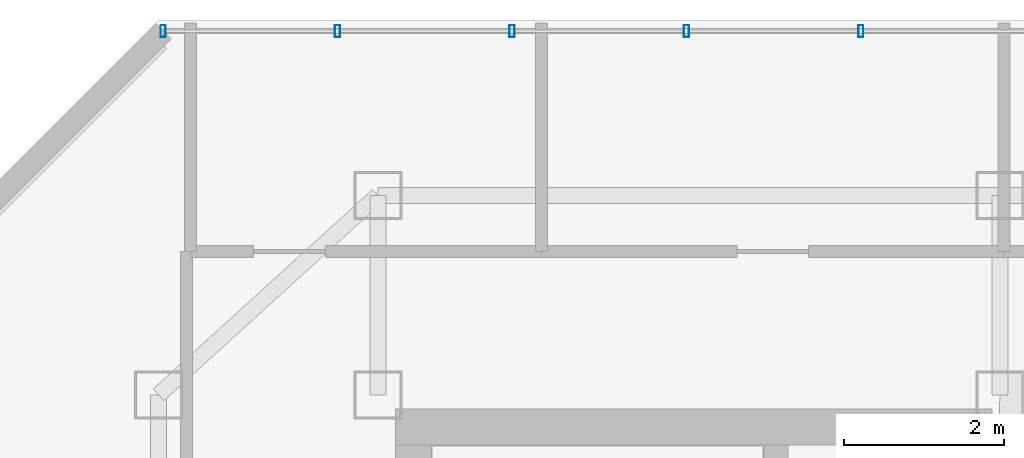
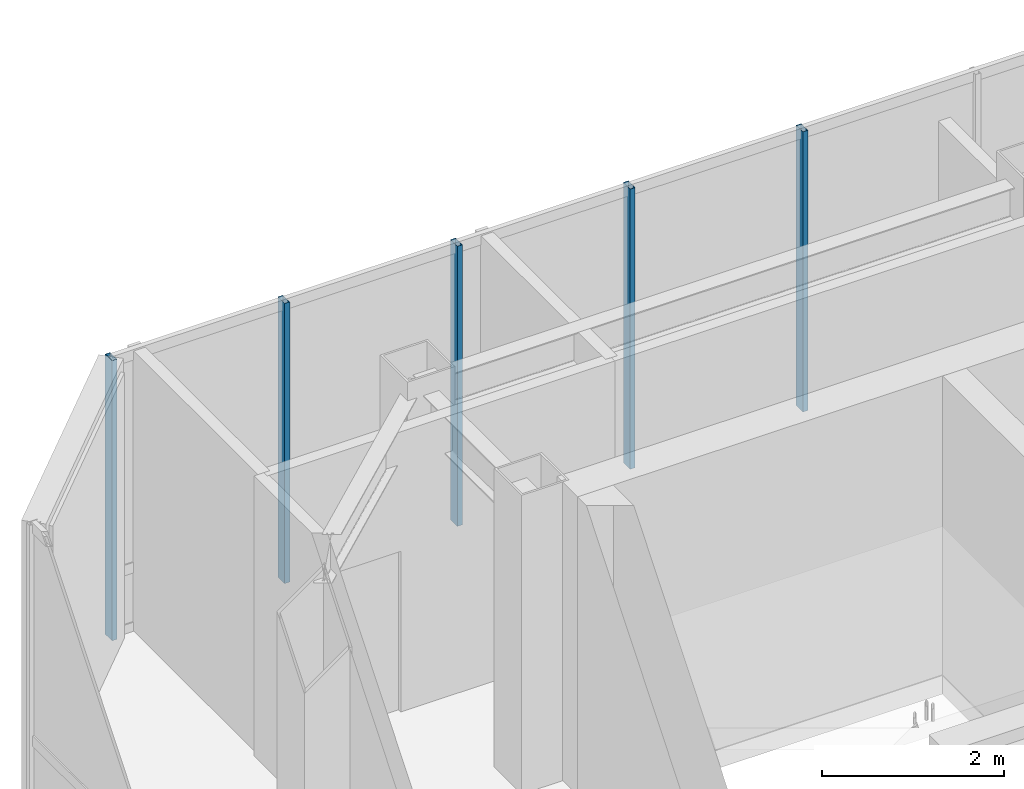
# One storey, part 21 of 30: 5 members, 1 element without a shape of its own.
"""IFC4 building model written with IfcOpenShell, lengths in metres."""

from ifc_helpers import new_model, si_unit, direction, frame, origin, origin_2d, place, context, subcontext, project, spatial, hollow_rectangle, extrude, material, layer, layer_set, material_profile, profile_set, type_object, element, aggregate, save


model = new_model("IFC4")

# Units and contexts
model_context = context("Model", 3, precision=1e-05, world=origin(), true_north=direction((0.0, 1.0)))
body_context = subcontext(model_context, "Body", "Model", "MODEL_VIEW")
ifc_project = project(units=[si_unit("LENGTHUNIT", "METRE"), si_unit("AREAUNIT", "SQUARE_METRE"), si_unit("VOLUMEUNIT", "CUBIC_METRE"), si_unit("PLANEANGLEUNIT", "RADIAN"), si_unit("MASSUNIT", "GRAM", prefix="KILO")], contexts=[model_context])

# Site, building, storey
site_placement = place(None, origin())
site = spatial("IfcSite", under=ifc_project, at=site_placement, CompositionType="ELEMENT")
building_placement = place(site_placement, origin())
building = spatial("IfcBuilding", under=site, at=building_placement, Name="Hatsunagi Terrace Concourse", CompositionType="ELEMENT")
storey_placement = place(building_placement, frame((0.0, 0.0, 273.949951171875)))
storey = spatial("IfcBuildingStorey", under=building, at=storey_placement, Name="L72", CompositionType="ELEMENT", Elevation=273.949951171875)

# Curtain wall, members
ifc_material_1 = material(Name="Anodised Aluminium Alloy 6063-T5", Category="aluminium")
ifc_layer = layer(ifc_material_1, 0.199951171875)
ifc_layer_set = layer_set([ifc_layer], Name="CrownWintergarden_CW06")
curtain_wall_type = type_object("IfcCurtainWallType", Name="CrownWintergarden_CW06", PredefinedType="NOTDEFINED", material=ifc_layer_set)
curtain_wall_placement = place(storey_placement, origin())
curtain_wall = element("IfcCurtainWall", 1, at=curtain_wall_placement, inside=storey, type_object=curtain_wall_type, Name="Unitised Curtain Wall CW-06 CW-L72-09", PredefinedType="NOTDEFINED")
ifc_material_2 = material(Name="Anodised Aluminium Alloy 6063-T5", Category="aluminium")
ifc_material_profile = material_profile(ifc_material_2, hollow_rectangle(XDim=0.06494140625, YDim=0.14990234375, WallThickness=0.00390625, at=origin_2d()), Name="ALU-MUL-150x65x4")
ifc_profile_set = profile_set([ifc_material_profile], Name="Anodised Aluminium Alloy 6063-T5")
member_type = type_object("IfcMemberType", Name="CurtainWallMullion_Crown_150x65", PredefinedType="MULLION", material=ifc_profile_set)
member_1_placement = place(storey_placement, frame((22.85791015625, 47.860107421875, 0.0), z_axis=(0.0, 0.0, 1.0), x_axis=(1.0, 0.0, 0.0)))
member_1 = element("IfcMember", 2, at=member_1_placement, type_object=member_type, Name="Curtain Wall Mullion MUL-03", PredefinedType="MULLION", context=body_context, shape_type="SweptSolid", body=[
    extrude(hollow_rectangle(XDim=0.06494140625, YDim=0.14990234375, WallThickness=0.00390625, at=origin_2d()), origin(), (0.0, 0.0, 1.0), 3.75),
])
member_2_placement = place(storey_placement, frame((25.044921875, 47.860107421875, 0.0), z_axis=(0.0, 0.0, 1.0), x_axis=(1.0, 0.0, 0.0)))
member_2 = element("IfcMember", 3, at=member_2_placement, type_object=member_type, Name="Curtain Wall Mullion MUL-03", PredefinedType="MULLION", context=body_context, shape_type="SweptSolid", body=[
    extrude(hollow_rectangle(XDim=0.06494140625, YDim=0.14990234375, WallThickness=0.00390625, at=origin_2d()), origin(), (0.0, 0.0, 1.0), 3.75),
])
member_3_placement = place(storey_placement, frame((27.23193359375, 47.860107421875, 0.0), z_axis=(0.0, 0.0, 1.0), x_axis=(1.0, 0.0, 0.0)))
member_3 = element("IfcMember", 4, at=member_3_placement, type_object=member_type, Name="Curtain Wall Mullion MUL-03", PredefinedType="MULLION", context=body_context, shape_type="SweptSolid", body=[
    extrude(hollow_rectangle(XDim=0.06494140625, YDim=0.14990234375, WallThickness=0.00390625, at=origin_2d()), origin(), (0.0, 0.0, 1.0), 3.75),
])
member_4_placement = place(storey_placement, frame((29.4189453125, 47.860107421875, 0.0), z_axis=(0.0, 0.0, 1.0), x_axis=(1.0, 0.0, 0.0)))
member_4 = element("IfcMember", 5, at=member_4_placement, type_object=member_type, Name="Curtain Wall Mullion MUL-03", PredefinedType="MULLION", context=body_context, shape_type="SweptSolid", body=[
    extrude(hollow_rectangle(XDim=0.06494140625, YDim=0.14990234375, WallThickness=0.00390625, at=origin_2d()), origin(), (0.0, 0.0, 1.0), 3.75),
])
member_5_placement = place(storey_placement, frame((31.60595703125, 47.860107421875, 0.0), z_axis=(0.0, 0.0, 1.0), x_axis=(1.0, 0.0, 0.0)))
member_5 = element("IfcMember", 6, at=member_5_placement, type_object=member_type, Name="Curtain Wall Mullion MUL-03", PredefinedType="MULLION", context=body_context, shape_type="SweptSolid", body=[
    extrude(hollow_rectangle(XDim=0.06494140625, YDim=0.14990234375, WallThickness=0.00390625, at=origin_2d()), origin(), (0.0, 0.0, 1.0), 3.75),
])
aggregate(curtain_wall, [member_1, member_2, member_3, member_4, member_5])

save(model, "model.ifc")
